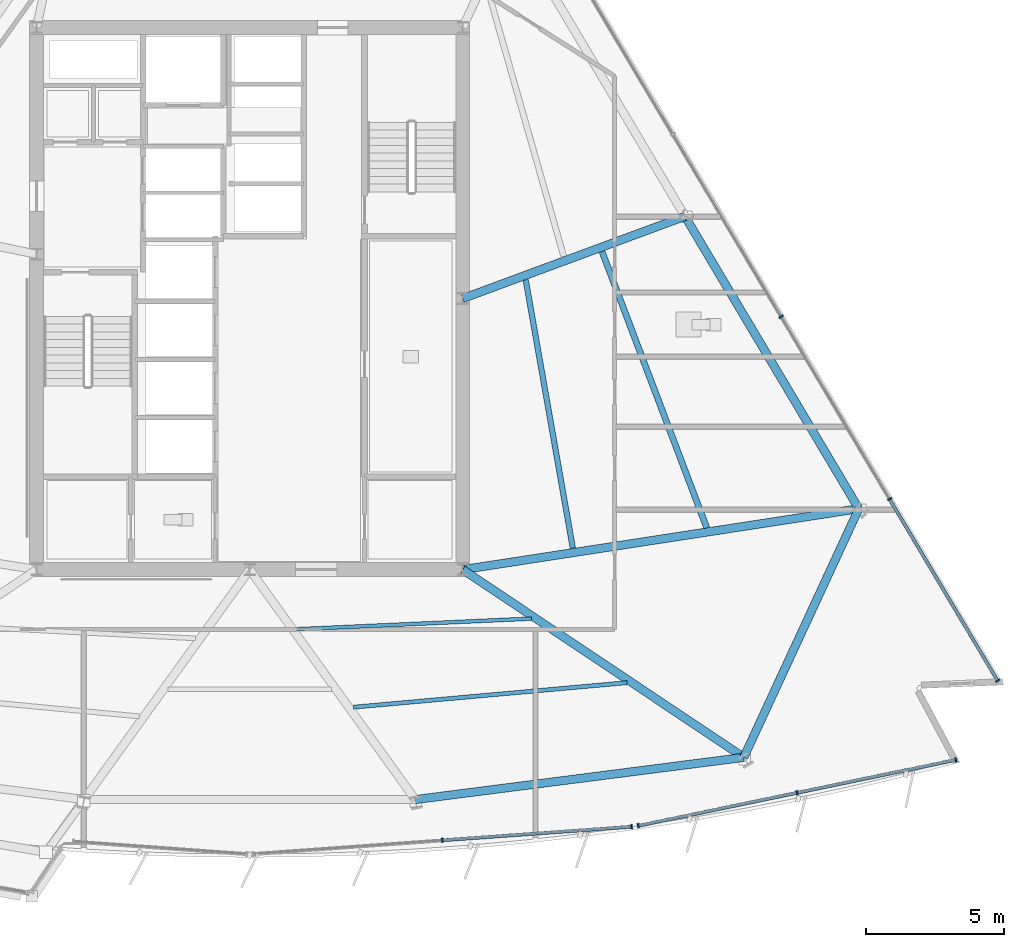
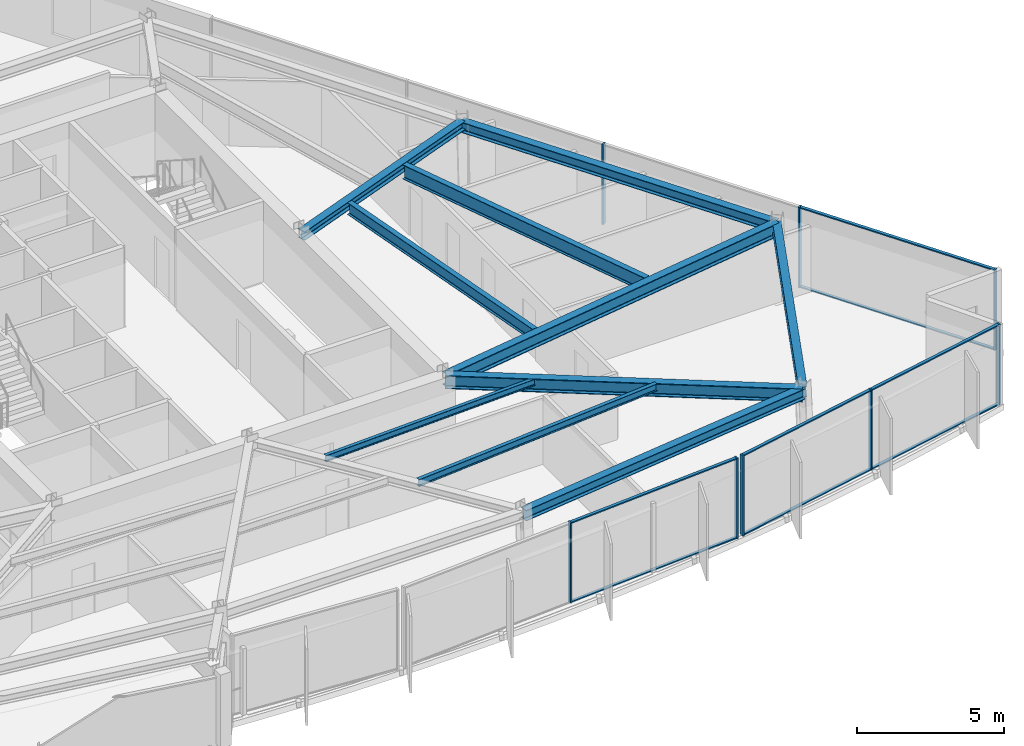
# One storey, part 5 of 16: 16 members, 10 beams, 3 elements without a shape of their own.
"""IFC4 building model written with IfcOpenShell, lengths in metres."""

from ifc_helpers import new_model, si_unit, direction, frame, origin, origin_2d, place, context, subcontext, project, spatial, rectangle, i_section, extrude, material, material_profile, profile_set, type_object, element, aggregate, save


model = new_model("IFC4")

# Units and contexts
model_context = context("Model", 3, precision=1e-05, world=origin(), true_north=direction((0.0, 1.0)))
body_context = subcontext(model_context, "Body", "Model", "MODEL_VIEW")
ifc_project = project(units=[si_unit("LENGTHUNIT", "METRE"), si_unit("AREAUNIT", "SQUARE_METRE"), si_unit("VOLUMEUNIT", "CUBIC_METRE"), si_unit("PLANEANGLEUNIT", "RADIAN"), si_unit("MASSUNIT", "GRAM", prefix="KILO")], contexts=[model_context])

# Site, building, storey
site_placement = place(None, origin())
site = spatial("IfcSite", under=ifc_project, at=site_placement, CompositionType="ELEMENT")
building_placement = place(site_placement, origin())
building = spatial("IfcBuilding", under=site, at=building_placement, Name="Savorim Split Tower", CompositionType="ELEMENT")
storey_placement = place(building_placement, frame((0.0, 0.0, 149.39990234375)))
storey = spatial("IfcBuildingStorey", under=building, at=storey_placement, Name="L39", CompositionType="ELEMENT", Elevation=149.39990234375)

# Beams
ifc_material_1 = material(Name="Steel S355", Category="steel")
ifc_material_profile_1 = material_profile(ifc_material_1, i_section(OverallWidth=0.135009765625, OverallDepth=0.27001953125, WebThickness=0.006591796875, FlangeThickness=0.01025390625, FilletRadius=0.014892578125, at=origin_2d()), Name="IPE 270")
ifc_profile_set_1 = profile_set([ifc_material_profile_1], Name="Steel S355")
beam_type_1 = type_object("IfcBeamType", Name="BM-JST-IPE270", PredefinedType="JOIST", material=ifc_profile_set_1)
beam_1_placement = place(storey_placement, frame((1.716064453125, -11.5537109375, 3.215087890625), z_axis=(0.99898428109, 0.045060028137, 0.0), x_axis=(-0.045060028137, 0.99898428109, 0.0)))
element("IfcBeam", 1, at=beam_1_placement, inside=storey, type_object=beam_type_1, Name="L39 Secondary Floor Joist JS-05", PredefinedType="JOIST", context=body_context, shape_type="SweptSolid", body=[
    extrude(i_section(OverallWidth=0.135009765625, OverallDepth=0.27001953125, WebThickness=0.006591796875, FlangeThickness=0.01025390625, FilletRadius=0.014892578125, at=origin_2d()), origin(), (0.0, 0.0, 1.0), 8.473876953125),
])
ifc_material_profile_2 = material_profile(ifc_material_1, i_section(OverallWidth=0.14990234375, OverallDepth=0.300048828125, WebThickness=0.007080078125, FlangeThickness=0.0107421875, FilletRadius=0.014892578125, at=origin_2d()), Name="IPE 300")
ifc_profile_set_2 = profile_set([ifc_material_profile_2], Name="Steel S355")
beam_type_2 = type_object("IfcBeamType", Name="BM-JST-IPE300", PredefinedType="JOIST", material=ifc_profile_set_2)
beam_2_placement = place(storey_placement, frame((3.75048828125, -14.372802734375, 3.2001953125), z_axis=(0.996007531923, 0.089269235202, 0.0), x_axis=(-0.089269235202, 0.996007531923, 0.0)))
element("IfcBeam", 2, at=beam_2_placement, inside=storey, type_object=beam_type_2, Name="L39 Secondary Floor Joist JS-04", PredefinedType="JOIST", context=body_context, shape_type="SweptSolid", body=[
    extrude(i_section(OverallWidth=0.14990234375, OverallDepth=0.300048828125, WebThickness=0.007080078125, FlangeThickness=0.0107421875, FilletRadius=0.014892578125, at=origin_2d()), origin(), (0.0, 0.0, 1.0), 9.9248046875),
])
ifc_material_profile_3 = material_profile(ifc_material_1, i_section(OverallWidth=0.199951171875, OverallDepth=0.5, WebThickness=0.01025390625, FlangeThickness=0.01611328125, FilletRadius=0.02099609375, at=origin_2d()), Name="IPE 500")
ifc_profile_set_3 = profile_set([ifc_material_profile_3], Name="Steel S355")
beam_type_3 = type_object("IfcBeamType", Name="BM-JST-IPE500", PredefinedType="JOIST", material=ifc_profile_set_3)
beam_3_placement = place(storey_placement, frame((11.68115234375, -8.625732421875, 3.10009765625), z_axis=(-0.173055576165, 0.984912060825, 0.0), x_axis=(-0.984912060825, -0.173055576165, 0.0)))
element("IfcBeam", 3, at=beam_3_placement, inside=storey, type_object=beam_type_3, Name="L39 Secondary Floor Joist JS-08", PredefinedType="JOIST", context=body_context, shape_type="SweptSolid", body=[
    extrude(i_section(OverallWidth=0.199951171875, OverallDepth=0.5, WebThickness=0.01025390625, FlangeThickness=0.01611328125, FilletRadius=0.02099609375, at=origin_2d()), origin(), (0.0, 0.0, 1.0), 9.8486328125),
])
ifc_material_profile_4 = material_profile(ifc_material_1, i_section(OverallWidth=0.219970703125, OverallDepth=0.60009765625, WebThickness=0.011962890625, FlangeThickness=0.01904296875, FilletRadius=0.02392578125, at=origin_2d()), Name="IPE 600")
ifc_profile_set_4 = profile_set([ifc_material_profile_4], Name="Steel S355")
beam_type_4 = type_object("IfcBeamType", Name="BM-JST-IPE600", PredefinedType="JOIST", material=ifc_profile_set_4)
beam_4_placement = place(storey_placement, frame((16.519775390625, -7.88525390625, 3.050048828125), z_axis=(-0.354508694399, 0.935052718084, 0.0), x_axis=(-0.935052718084, -0.354508694399, 0.0)))
element("IfcBeam", 4, at=beam_4_placement, inside=storey, type_object=beam_type_4, Name="L39 Secondary Floor Joist JS-06", PredefinedType="JOIST", context=body_context, shape_type="SweptSolid", body=[
    extrude(i_section(OverallWidth=0.219970703125, OverallDepth=0.60009765625, WebThickness=0.011962890625, FlangeThickness=0.01904296875, FilletRadius=0.02392578125, at=origin_2d()), origin(), (0.0, 0.0, 1.0), 10.67041015625),
])
ifc_material_profile_5 = material_profile(ifc_material_1, i_section(OverallWidth=0.300048828125, OverallDepth=0.360107421875, WebThickness=0.012451171875, FlangeThickness=0.0224609375, FilletRadius=0.027099609375, at=origin_2d()), Name="HEB 360")
ifc_profile_set_5 = profile_set([ifc_material_profile_5], Name="Steel S355")
beam_type_5 = type_object("IfcBeamType", Name="BM-PRI-HEB360", PredefinedType="BEAM", material=ifc_profile_set_5)
beam_5_placement = place(storey_placement, frame((15.732666015625, 3.37060546875, 3.170166015625), z_axis=(-0.937915083227, -0.346864954492, 0.0), x_axis=(0.346864954492, -0.937915083227, 0.0)))
element("IfcBeam", 5, at=beam_5_placement, inside=storey, type_object=beam_type_5, Name="L39 Primary Floor Girder RG-06", PredefinedType="BEAM", context=body_context, shape_type="SweptSolid", body=[
    extrude(i_section(OverallWidth=0.300048828125, OverallDepth=0.360107421875, WebThickness=0.012451171875, FlangeThickness=0.0224609375, FilletRadius=0.027099609375, at=origin_2d()), origin(), (0.0, 0.0, 1.0), 8.564453125),
])
ifc_material_profile_6 = material_profile(ifc_material_1, i_section(OverallWidth=0.300048828125, OverallDepth=0.550048828125, WebThickness=0.014892578125, FlangeThickness=0.029052734375, FilletRadius=0.027099609375, at=origin_2d()), Name="HEB 550")
ifc_profile_set_6 = profile_set([ifc_material_profile_6], Name="Steel S355")
beam_type_6 = type_object("IfcBeamType", Name="BM-PRI-HEB550", PredefinedType="BEAM", material=ifc_profile_set_6)
beam_6_placement = place(storey_placement, frame((17.858642578125, -16.187255859375, 3.0751953125), z_axis=(-0.831487271704, 0.555543802948, 0.0), x_axis=(-0.555543802948, -0.831487271704, 0.0)))
element("IfcBeam", 6, at=beam_6_placement, inside=storey, type_object=beam_type_6, Name="L39 Primary Floor Girder RG-04", PredefinedType="BEAM", context=body_context, shape_type="SweptSolid", body=[
    extrude(i_section(OverallWidth=0.300048828125, OverallDepth=0.550048828125, WebThickness=0.014892578125, FlangeThickness=0.029052734375, FilletRadius=0.027099609375, at=origin_2d()), origin(), (0.0, 0.0, 1.0), 12.217529296875),
])
beam_7_placement = place(storey_placement, frame((22.01708984375, -7.197998046875, 3.0751953125), z_axis=(-0.988379295408, -0.152007790619, 0.0), x_axis=(0.152007790619, -0.988379295408, 0.0)))
element("IfcBeam", 7, at=beam_7_placement, inside=storey, type_object=beam_type_6, Name="L39 Primary Floor Girder RG-05", PredefinedType="BEAM", context=body_context, shape_type="SweptSolid", body=[
    extrude(i_section(OverallWidth=0.300048828125, OverallDepth=0.550048828125, WebThickness=0.014892578125, FlangeThickness=0.029052734375, FilletRadius=0.027099609375, at=origin_2d()), origin(), (0.0, 0.0, 1.0), 14.4853515625),
])
ifc_material_profile_7 = material_profile(ifc_material_1, i_section(OverallWidth=0.300048828125, OverallDepth=0.43994140625, WebThickness=0.011474609375, FlangeThickness=0.02099609375, FilletRadius=0.027099609375, at=origin_2d()), Name="HEA 450")
ifc_profile_set_7 = profile_set([ifc_material_profile_7], Name="Steel S355")
beam_type_7 = type_object("IfcBeamType", Name="BM-SPN-HEA450", PredefinedType="SPANDREL", material=ifc_profile_set_7)
beam_8_placement = place(storey_placement, frame((5.9853515625, -17.711669921875, 3.130126953125), z_axis=(0.991858496366, 0.127344898553, 0.0), x_axis=(-0.127344898553, 0.991858496366, 0.0)))
element("IfcBeam", 8, at=beam_8_placement, inside=storey, type_object=beam_type_7, Name="L39 Perimeter Spandrel Beam 3", PredefinedType="SPANDREL", context=body_context, shape_type="SweptSolid", body=[
    extrude(i_section(OverallWidth=0.300048828125, OverallDepth=0.43994140625, WebThickness=0.011474609375, FlangeThickness=0.02099609375, FilletRadius=0.027099609375, at=origin_2d()), origin(), (0.0, 0.0, 1.0), 11.970703125),
])
beam_9_placement = place(storey_placement, frame((17.858642578125, -16.187255859375, 3.130126953125), z_axis=(0.419853651903, 0.907591819589, 0.0), x_axis=(-0.907591819589, 0.419853651903, 0.0)))
element("IfcBeam", 9, at=beam_9_placement, inside=storey, type_object=beam_type_7, Name="L39 Perimeter Spandrel Beam 4", PredefinedType="SPANDREL", context=body_context, shape_type="SweptSolid", body=[
    extrude(i_section(OverallWidth=0.300048828125, OverallDepth=0.43994140625, WebThickness=0.011474609375, FlangeThickness=0.02099609375, FilletRadius=0.027099609375, at=origin_2d()), origin(), (0.0, 0.0, 1.0), 9.904541015625),
])
beam_10_placement = place(storey_placement, frame((22.01708984375, -7.197998046875, 3.130126953125), z_axis=(-0.511098784171, 0.859521979253, 0.0), x_axis=(-0.859521979253, -0.511098784171, 0.0)))
element("IfcBeam", 10, at=beam_10_placement, inside=storey, type_object=beam_type_7, Name="L39 Perimeter Spandrel Beam 5", PredefinedType="SPANDREL", context=body_context, shape_type="SweptSolid", body=[
    extrude(i_section(OverallWidth=0.300048828125, OverallDepth=0.43994140625, WebThickness=0.011474609375, FlangeThickness=0.02099609375, FilletRadius=0.027099609375, at=origin_2d()), origin(), (0.0, 0.0, 1.0), 12.2958984375),
])

# Curtain wall, members
ifc_material_2 = material(Name="Dark Ceramic-Fritted Insulated Glass", Category="glass")
curtain_wall_type = type_object("IfcCurtainWallType", Name="CW-TWR-FRIT-B", PredefinedType="NOTDEFINED", material=ifc_material_2)
curtain_wall_1_placement = place(storey_placement, origin())
curtain_wall_1 = element("IfcCurtainWall", 11, at=curtain_wall_1_placement, inside=storey, type_object=curtain_wall_type, Name="L39 Curtain Wall CW-L39-SF3A", PredefinedType="NOTDEFINED")
ifc_material_3 = material(Name="Charcoal Anodised Aluminium", Category="aluminium")
ifc_material_profile_8 = material_profile(ifc_material_3, rectangle(XDim=0.159912109375, YDim=0.06005859375, at=origin_2d()), Name="ALU-M 160x60")
ifc_profile_set_8 = profile_set([ifc_material_profile_8], Name="Charcoal Anodised Aluminium")
member_type_1 = type_object("IfcMemberType", Name="CWM-160x60", PredefinedType="MULLION", material=ifc_profile_set_8)
member_1_placement = place(storey_placement, frame((6.9619140625, -19.181884765625, 0.0), z_axis=(0.0, 0.0, 1.0), x_axis=(-0.071562741149, 0.997436100249, 0.0)))
member_1 = element("IfcMember", 12, at=member_1_placement, type_object=member_type_1, Name="CW-03 mullion 2", PredefinedType="MULLION", context=body_context, shape_type="SweptSolid", body=[
    extrude(rectangle(XDim=0.159912109375, YDim=0.06005859375, at=origin_2d()), origin(), (0.0, 0.0, 1.0), 3.35009765625),
])
member_2_placement = place(storey_placement, frame((13.802734375, -18.691162109375, 0.0), z_axis=(0.0, 0.0, 1.0), x_axis=(-0.071562741149, 0.997436100249, 0.0)))
member_2 = element("IfcMember", 13, at=member_2_placement, type_object=member_type_1, Name="CW-03 mullion 3", PredefinedType="MULLION", context=body_context, shape_type="SweptSolid", body=[
    extrude(rectangle(XDim=0.159912109375, YDim=0.06005859375, at=origin_2d()), origin(), (0.0, 0.0, 1.0), 3.35009765625),
])

curtain_wall_2_placement = place(storey_placement, origin())
curtain_wall_2 = element("IfcCurtainWall", 14, at=curtain_wall_2_placement, inside=storey, type_object=curtain_wall_type, Name="L39 Curtain Wall CW-L39-SF4A", PredefinedType="NOTDEFINED")
member_3_placement = place(storey_placement, frame((14.043701171875, -18.657470703125, 0.0), z_axis=(0.0, 0.0, 1.0), x_axis=(-0.20321231183, 0.979134697741, 0.0)))
member_3 = element("IfcMember", 15, at=member_3_placement, type_object=member_type_1, Name="CW-03 mullion 1", PredefinedType="MULLION", context=body_context, shape_type="SweptSolid", body=[
    extrude(rectangle(XDim=0.159912109375, YDim=0.06005859375, at=origin_2d()), origin(), (0.0, 0.0, 1.0), 3.35009765625),
])
member_4_placement = place(storey_placement, frame((19.782958984375, -17.46630859375, 0.0), z_axis=(0.0, 0.0, 1.0), x_axis=(-0.20321231183, 0.979134697741, 0.0)))
member_4 = element("IfcMember", 16, at=member_4_placement, type_object=member_type_1, Name="CW-03 mullion 2", PredefinedType="MULLION", context=body_context, shape_type="SweptSolid", body=[
    extrude(rectangle(XDim=0.159912109375, YDim=0.06005859375, at=origin_2d()), origin(), (0.0, 0.0, 1.0), 3.35009765625),
])
member_5_placement = place(storey_placement, frame((25.52197265625, -16.275390625, 0.0), z_axis=(0.0, 0.0, 1.0), x_axis=(-0.20321231183, 0.979134697741, 0.0)))
member_5 = element("IfcMember", 17, at=member_5_placement, type_object=member_type_1, Name="CW-03 mullion 3", PredefinedType="MULLION", context=body_context, shape_type="SweptSolid", body=[
    extrude(rectangle(XDim=0.159912109375, YDim=0.06005859375, at=origin_2d()), origin(), (0.0, 0.0, 1.0), 3.35009765625),
])

curtain_wall_3_placement = place(storey_placement, origin())
curtain_wall_3 = element("IfcCurtainWall", 18, at=curtain_wall_3_placement, inside=storey, type_object=curtain_wall_type, Name="L39 Curtain Wall CW-L39-EAST", PredefinedType="NOTDEFINED")
member_6_placement = place(storey_placement, frame((27.03369140625, -13.41552734375, 0.0), z_axis=(0.0, 0.0, 1.0), x_axis=(-0.859526328423, -0.511091470039, 0.0)))
member_6 = element("IfcMember", 19, at=member_6_placement, type_object=member_type_1, Name="CW-03 mullion 1", PredefinedType="MULLION", context=body_context, shape_type="SweptSolid", body=[
    extrude(rectangle(XDim=0.159912109375, YDim=0.06005859375, at=origin_2d()), origin(), (0.0, 0.0, 1.0), 3.35009765625),
])
member_7_placement = place(storey_placement, frame((23.12939453125, -6.849609375, 0.0), z_axis=(0.0, 0.0, 1.0), x_axis=(-0.859526328423, -0.511091470039, 0.0)))
member_7 = element("IfcMember", 20, at=member_7_placement, type_object=member_type_1, Name="CW-03 mullion 2", PredefinedType="MULLION", context=body_context, shape_type="SweptSolid", body=[
    extrude(rectangle(XDim=0.159912109375, YDim=0.06005859375, at=origin_2d()), origin(), (0.0, 0.0, 1.0), 3.35009765625),
])
member_8_placement = place(storey_placement, frame((19.209716796875, -0.257568359375, 0.0), z_axis=(0.0, 0.0, 1.0), x_axis=(-0.859526328423, -0.511091470039, 0.0)))
member_8 = element("IfcMember", 21, at=member_8_placement, type_object=member_type_1, Name="CW-03 mullion 3", PredefinedType="MULLION", context=body_context, shape_type="SweptSolid", body=[
    extrude(rectangle(XDim=0.159912109375, YDim=0.06005859375, at=origin_2d()), origin(), (0.0, 0.0, 1.0), 3.35009765625),
])

# Member
ifc_material_profile_9 = material_profile(ifc_material_3, rectangle(XDim=0.1201171875, YDim=0.050048828125, at=origin_2d()), Name="ALU-T 120x50")
ifc_profile_set_9 = profile_set([ifc_material_profile_9], Name="Charcoal Anodised Aluminium")
member_type_2 = type_object("IfcMemberType", Name="CWT-120x50", PredefinedType="USERDEFINED", material=ifc_profile_set_9)
member_9_placement = place(storey_placement, frame((6.991943359375, -19.1796875, 0.025146484375), z_axis=(0.99743531229, 0.071573722812, 0.0), x_axis=(-0.071573722812, 0.99743531229, 0.0)))
member_9 = element("IfcMember", 22, at=member_9_placement, type_object=member_type_2, Name="CW-03 transom 2.1", ObjectType="TRANSOM", PredefinedType="USERDEFINED", context=body_context, shape_type="SweptSolid", body=[
    extrude(rectangle(XDim=0.1201171875, YDim=0.050048828125, at=origin_2d()), origin(), (0.0, 0.0, 1.0), 6.798095703125),
])

member_10_placement = place(storey_placement, frame((6.991943359375, -19.1796875, 3.3251953125), z_axis=(0.99743531229, 0.071573722812, 0.0), x_axis=(-0.071573722812, 0.99743531229, 0.0)))
member_10 = element("IfcMember", 23, at=member_10_placement, type_object=member_type_2, Name="CW-03 transom 2.2", ObjectType="TRANSOM", PredefinedType="USERDEFINED", context=body_context, shape_type="SweptSolid", body=[
    extrude(rectangle(XDim=0.1201171875, YDim=0.050048828125, at=origin_2d()), origin(), (0.0, 0.0, 1.0), 6.798095703125),
])

aggregate(curtain_wall_1, [member_1, member_2, member_9, member_10])

member_11_placement = place(storey_placement, frame((14.0732421875, -18.6513671875, 0.025146484375), z_axis=(0.979132099481, 0.203224830585, 0.0), x_axis=(-0.203224830585, 0.979132099481, 0.0)))
member_11 = element("IfcMember", 24, at=member_11_placement, type_object=member_type_2, Name="CW-03 transom 1.1", ObjectType="TRANSOM", PredefinedType="USERDEFINED", context=body_context, shape_type="SweptSolid", body=[
    extrude(rectangle(XDim=0.1201171875, YDim=0.050048828125, at=origin_2d()), origin(), (0.0, 0.0, 1.0), 5.80126953125),
])

member_12_placement = place(storey_placement, frame((14.0732421875, -18.6513671875, 3.3251953125), z_axis=(0.979132099481, 0.203224830585, 0.0), x_axis=(-0.203224830585, 0.979132099481, 0.0)))
member_12 = element("IfcMember", 25, at=member_12_placement, type_object=member_type_2, Name="CW-03 transom 1.2", ObjectType="TRANSOM", PredefinedType="USERDEFINED", context=body_context, shape_type="SweptSolid", body=[
    extrude(rectangle(XDim=0.1201171875, YDim=0.050048828125, at=origin_2d()), origin(), (0.0, 0.0, 1.0), 5.80126953125),
])

member_13_placement = place(storey_placement, frame((19.812255859375, -17.460205078125, 0.025146484375), z_axis=(0.979140472811, 0.203184483914, 0.0), x_axis=(-0.203184483914, 0.979140472811, 0.0)))
member_13 = element("IfcMember", 26, at=member_13_placement, type_object=member_type_2, Name="CW-03 transom 2.1", ObjectType="TRANSOM", PredefinedType="USERDEFINED", context=body_context, shape_type="SweptSolid", body=[
    extrude(rectangle(XDim=0.1201171875, YDim=0.050048828125, at=origin_2d()), origin(), (0.0, 0.0, 1.0), 5.80126953125),
])

member_14_placement = place(storey_placement, frame((19.812255859375, -17.460205078125, 3.3251953125), z_axis=(0.979140472811, 0.203184483914, 0.0), x_axis=(-0.203184483914, 0.979140472811, 0.0)))
member_14 = element("IfcMember", 27, at=member_14_placement, type_object=member_type_2, Name="CW-03 transom 2.2", ObjectType="TRANSOM", PredefinedType="USERDEFINED", context=body_context, shape_type="SweptSolid", body=[
    extrude(rectangle(XDim=0.1201171875, YDim=0.050048828125, at=origin_2d()), origin(), (0.0, 0.0, 1.0), 5.80126953125),
])

aggregate(curtain_wall_2, [member_3, member_4, member_5, member_11, member_12, member_13, member_14])

member_15_placement = place(storey_placement, frame((27.0185546875, -13.389892578125, 0.025146484375), z_axis=(-0.511095331359, 0.859524032394, 0.0), x_axis=(-0.859524032394, -0.511095331359, 0.0)))
member_15 = element("IfcMember", 28, at=member_15_placement, type_object=member_type_2, Name="CW-03 transom 1.1", ObjectType="TRANSOM", PredefinedType="USERDEFINED", context=body_context, shape_type="SweptSolid", body=[
    extrude(rectangle(XDim=0.1201171875, YDim=0.050048828125, at=origin_2d()), origin(), (0.0, 0.0, 1.0), 7.579345703125),
])

member_16_placement = place(storey_placement, frame((27.0185546875, -13.389892578125, 3.3251953125), z_axis=(-0.511095331359, 0.859524032394, 0.0), x_axis=(-0.859524032394, -0.511095331359, 0.0)))
member_16 = element("IfcMember", 29, at=member_16_placement, type_object=member_type_2, Name="CW-03 transom 1.2", ObjectType="TRANSOM", PredefinedType="USERDEFINED", context=body_context, shape_type="SweptSolid", body=[
    extrude(rectangle(XDim=0.1201171875, YDim=0.050048828125, at=origin_2d()), origin(), (0.0, 0.0, 1.0), 7.579345703125),
])

aggregate(curtain_wall_3, [member_6, member_7, member_8, member_15, member_16])

save(model, "model.ifc")
